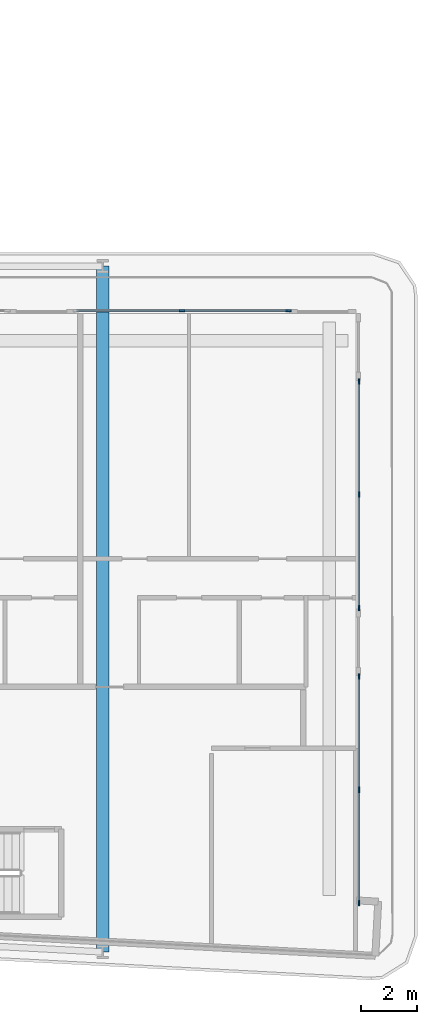
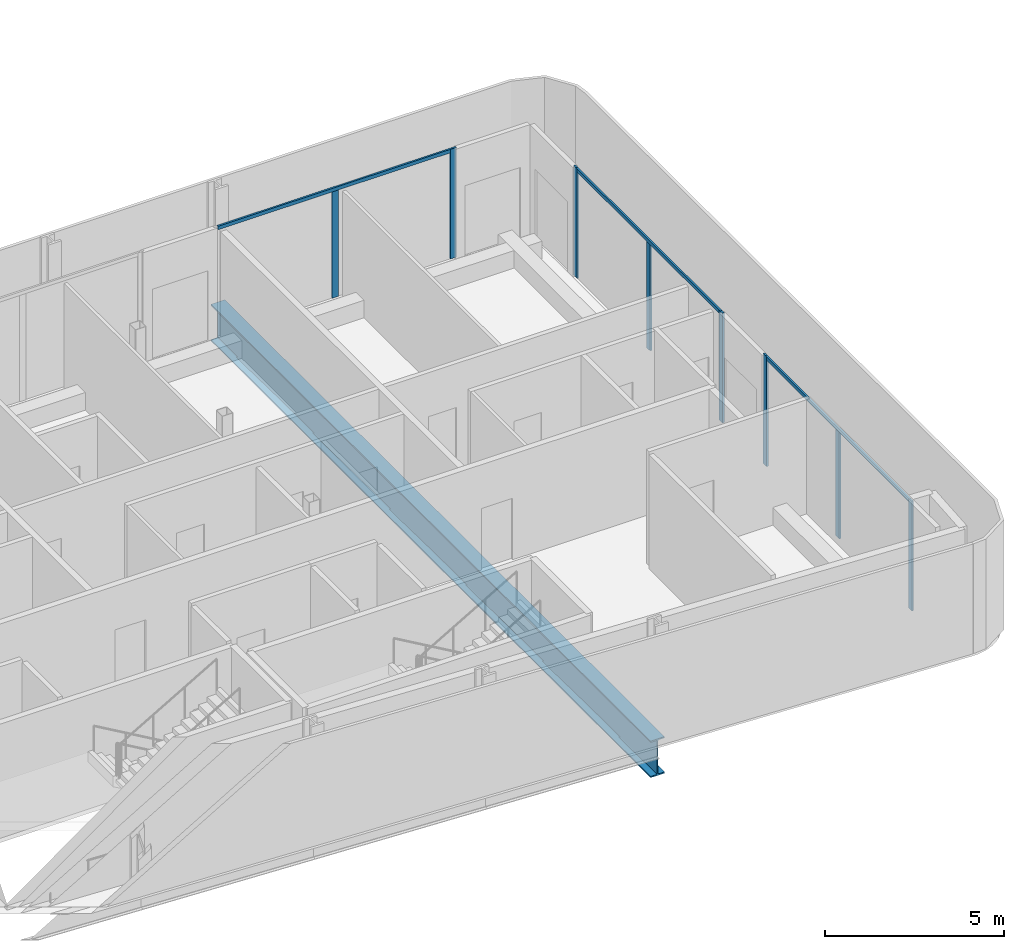
# One storey, part 8 of 27: 11 members, 1 beam, 3 elements without a shape of their own.
"""IFC4 building model written with IfcOpenShell, lengths in metres."""

from ifc_helpers import new_model, si_unit, direction, frame, origin, origin_2d, place, context, subcontext, project, spatial, rectangle, i_section, extrude, material, layer, layer_set, material_profile, profile_set, type_object, element, aggregate, save


model = new_model("IFC4")

# Units and contexts
model_context = context("Model", 3, precision=1e-05, world=origin(), true_north=direction((0.0, 1.0)))
body_context = subcontext(model_context, "Body", "Model", "MODEL_VIEW")
ifc_project = project(units=[si_unit("LENGTHUNIT", "METRE"), si_unit("AREAUNIT", "SQUARE_METRE"), si_unit("VOLUMEUNIT", "CUBIC_METRE"), si_unit("PLANEANGLEUNIT", "RADIAN"), si_unit("MASSUNIT", "GRAM", prefix="KILO")], contexts=[model_context])

# Site, building, storey
site_placement = place(None, origin())
site = spatial("IfcSite", under=ifc_project, at=site_placement, CompositionType="ELEMENT")
building_placement = place(site_placement, origin())
building = spatial("IfcBuilding", under=site, at=building_placement, Name="Kheshtan School and Residences Tower", CompositionType="ELEMENT")
storey_placement = place(building_placement, frame((0.0, 0.0, 53.89990234375)))
storey = spatial("IfcBuildingStorey", under=building, at=storey_placement, Name="L12", CompositionType="ELEMENT", Elevation=53.89990234375)

# Curtain wall, members
ifc_material_1 = material(Name="Clear low-e glass in thermally broken aluminium frame", Category="aluminium")
ifc_layer = layer(ifc_material_1, 0.199951171875)
ifc_layer_set = layer_set([ifc_layer], Name="Curtain wall CW-L")
curtain_wall_type = type_object("IfcCurtainWallType", Name="Curtain wall CW-L", PredefinedType="NOTDEFINED", material=ifc_layer_set)
curtain_wall_1_placement = place(storey_placement, origin())
curtain_wall_1 = element("IfcCurtainWall", 1, at=curtain_wall_1_placement, inside=storey, type_object=curtain_wall_type, Name="Curtain wall CWL12j", PredefinedType="NOTDEFINED")
ifc_material_2 = material(Name="Thermally broken aluminium, dark bronze anodised", Category="aluminium")
ifc_material_profile_1 = material_profile(ifc_material_2, rectangle(XDim=0.06005859375, YDim=0.199951171875, at=origin_2d()), Name="CW-L mullion 60x200")
ifc_profile_set_1 = profile_set([ifc_material_profile_1], Name="Thermally broken aluminium, dark bronze anodised")
member_type_1 = type_object("IfcMemberType", Name="CW-L mullion 60x200", PredefinedType="MULLION", material=ifc_profile_set_1)
member_1_placement = place(storey_placement, frame((93.653076171875, 44.0, 0.0), z_axis=(0.0, 0.0, 1.0), x_axis=(0.0, 1.0, 0.0)))
member_1 = element("IfcMember", 2, at=member_1_placement, type_object=member_type_1, Name="CWL12j mullion 2", PredefinedType="MULLION", context=body_context, shape_type="SweptSolid", body=[
    extrude(rectangle(XDim=0.06005859375, YDim=0.199951171875, at=origin_2d()), origin(), (0.0, 0.0, 1.0), 3.630126953125),
])
member_2_placement = place(storey_placement, frame((97.469970703125, 44.0, 0.0), z_axis=(0.0, 0.0, 1.0), x_axis=(0.0, 1.0, 0.0)))
member_2 = element("IfcMember", 3, at=member_2_placement, type_object=member_type_1, Name="CWL12j mullion 3", PredefinedType="MULLION", context=body_context, shape_type="SweptSolid", body=[
    extrude(rectangle(XDim=0.06005859375, YDim=0.199951171875, at=origin_2d()), origin(), (0.0, 0.0, 1.0), 3.75),
])

curtain_wall_2_placement = place(storey_placement, origin())
curtain_wall_2 = element("IfcCurtainWall", 4, at=curtain_wall_2_placement, inside=storey, type_object=curtain_wall_type, Name="Curtain wall CWL13b", PredefinedType="NOTDEFINED")
member_3_placement = place(storey_placement, frame((100.0, 41.469970703125, 0.0), z_axis=(0.0, 0.0, 1.0), x_axis=(1.0, 0.0, 0.0)))
member_3 = element("IfcMember", 5, at=member_3_placement, type_object=member_type_1, Name="CWL13b mullion 1", PredefinedType="MULLION", context=body_context, shape_type="SweptSolid", body=[
    extrude(rectangle(XDim=0.06005859375, YDim=0.199951171875, at=origin_2d()), origin(), (0.0, 0.0, 1.0), 3.75),
])
member_4_placement = place(storey_placement, frame((100.0, 37.403564453125, 0.0), z_axis=(0.0, 0.0, 1.0), x_axis=(1.0, 0.0, 0.0)))
member_4 = element("IfcMember", 6, at=member_4_placement, type_object=member_type_1, Name="CWL13b mullion 2", PredefinedType="MULLION", context=body_context, shape_type="SweptSolid", body=[
    extrude(rectangle(XDim=0.06005859375, YDim=0.199951171875, at=origin_2d()), origin(), (0.0, 0.0, 1.0), 3.630126953125),
])
member_5_placement = place(storey_placement, frame((100.0, 33.3369140625, 0.0), z_axis=(0.0, 0.0, 1.0), x_axis=(1.0, 0.0, 0.0)))
member_5 = element("IfcMember", 7, at=member_5_placement, type_object=member_type_1, Name="CWL13b mullion 3", PredefinedType="MULLION", context=body_context, shape_type="SweptSolid", body=[
    extrude(rectangle(XDim=0.06005859375, YDim=0.199951171875, at=origin_2d()), origin(), (0.0, 0.0, 1.0), 3.75),
])

curtain_wall_3_placement = place(storey_placement, origin())
curtain_wall_3 = element("IfcCurtainWall", 8, at=curtain_wall_3_placement, inside=storey, type_object=curtain_wall_type, Name="Curtain wall CWL13b", PredefinedType="NOTDEFINED")
member_6_placement = place(storey_placement, frame((100.0, 30.876953125, 0.0), z_axis=(0.0, 0.0, 1.0), x_axis=(1.0, 0.0, 0.0)))
member_6 = element("IfcMember", 9, at=member_6_placement, type_object=member_type_1, Name="CWL13b mullion 1", PredefinedType="MULLION", context=body_context, shape_type="SweptSolid", body=[
    extrude(rectangle(XDim=0.06005859375, YDim=0.199951171875, at=origin_2d()), origin(), (0.0, 0.0, 1.0), 3.75),
])
member_7_placement = place(storey_placement, frame((100.0, 26.810546875, 0.0), z_axis=(0.0, 0.0, 1.0), x_axis=(1.0, 0.0, 0.0)))
member_7 = element("IfcMember", 10, at=member_7_placement, type_object=member_type_1, Name="CWL13b mullion 2", PredefinedType="MULLION", context=body_context, shape_type="SweptSolid", body=[
    extrude(rectangle(XDim=0.06005859375, YDim=0.199951171875, at=origin_2d()), origin(), (0.0, 0.0, 1.0), 3.630126953125),
])
member_8_placement = place(storey_placement, frame((100.0, 22.743896484375, 0.0), z_axis=(0.0, 0.0, 1.0), x_axis=(1.0, 0.0, 0.0)))
member_8 = element("IfcMember", 11, at=member_8_placement, type_object=member_type_1, Name="CWL13b mullion 3", PredefinedType="MULLION", context=body_context, shape_type="SweptSolid", body=[
    extrude(rectangle(XDim=0.06005859375, YDim=0.199951171875, at=origin_2d()), origin(), (0.0, 0.0, 1.0), 3.75),
])

# Member
ifc_material_profile_2 = material_profile(ifc_material_2, rectangle(XDim=0.06005859375, YDim=0.1201171875, at=origin_2d()), Name="CW-L transom 60x120")
ifc_profile_set_2 = profile_set([ifc_material_profile_2], Name="Thermally broken aluminium, dark bronze anodised")
member_type_2 = type_object("IfcMemberType", Name="CW-L transom 60x120", PredefinedType="USERDEFINED", material=ifc_profile_set_2)
member_9_placement = place(storey_placement, frame((89.865966796875, 44.0, 3.690185546875), z_axis=(1.0, 0.0, 0.0), x_axis=(0.0, 1.0, 0.0)))
member_9 = element("IfcMember", 12, at=member_9_placement, type_object=member_type_2, Name="CWL12j transom 1", ObjectType="TRANSOM", PredefinedType="USERDEFINED", context=body_context, shape_type="SweptSolid", body=[
    extrude(rectangle(XDim=0.06005859375, YDim=0.1201171875, at=origin_2d()), origin(), (0.0, 0.0, 1.0), 7.573974609375),
])

aggregate(curtain_wall_1, [member_1, member_2, member_9])

member_10_placement = place(storey_placement, frame((100.0, 41.43994140625, 3.690185546875), z_axis=(0.0, -1.0, 0.0), x_axis=(1.0, 0.0, 0.0)))
member_10 = element("IfcMember", 13, at=member_10_placement, type_object=member_type_2, Name="CWL13b transom 1", ObjectType="TRANSOM", PredefinedType="USERDEFINED", context=body_context, shape_type="SweptSolid", body=[
    extrude(rectangle(XDim=0.06005859375, YDim=0.1201171875, at=origin_2d()), origin(), (0.0, 0.0, 1.0), 8.072998046875),
])

aggregate(curtain_wall_2, [member_3, member_4, member_5, member_10])

member_11_placement = place(storey_placement, frame((100.0, 30.846923828125, 3.690185546875), z_axis=(0.0, -1.0, 0.0), x_axis=(1.0, 0.0, 0.0)))
member_11 = element("IfcMember", 14, at=member_11_placement, type_object=member_type_2, Name="CWL13b transom 1", ObjectType="TRANSOM", PredefinedType="USERDEFINED", context=body_context, shape_type="SweptSolid", body=[
    extrude(rectangle(XDim=0.06005859375, YDim=0.1201171875, at=origin_2d()), origin(), (0.0, 0.0, 1.0), 8.072998046875),
])

aggregate(curtain_wall_3, [member_6, member_7, member_8, member_11])

# Beam
ifc_material_3 = material(Name="Steel ASTM A992 Grade 50", Category="steel")
ifc_material_profile_3 = material_profile(ifc_material_3, i_section(OverallWidth=0.449951171875, OverallDepth=1.25, WebThickness=0.02490234375, FlangeThickness=0.044921875, FilletRadius=0.03759765625, at=origin_2d()), Name="WWF1250x546")
ifc_profile_set_3 = profile_set([ifc_material_profile_3], Name="Steel ASTM A992 Grade 50")
beam_type = type_object("IfcBeamType", Name="Transfer girder TG4 WWF1250x546 ASTM A992 Grade 50", PredefinedType="BEAM", material=ifc_profile_set_3)
beam_placement = place(storey_placement, frame((90.800048828125, 45.60009765625, -0.77490234375), z_axis=(0.0, -1.0, 0.0), x_axis=(1.0, 0.0, 0.0)))
element("IfcBeam", 15, at=beam_placement, inside=storey, type_object=beam_type, Name="Transfer girder C068-C006", PredefinedType="BEAM", context=body_context, shape_type="SweptSolid", body=[
    extrude(i_section(OverallWidth=0.449951171875, OverallDepth=1.25, WebThickness=0.02490234375, FlangeThickness=0.044921875, FilletRadius=0.03759765625, at=origin_2d()), origin(), (0.0, 0.0, 1.0), 24.610107421875),
])

save(model, "model.ifc")
